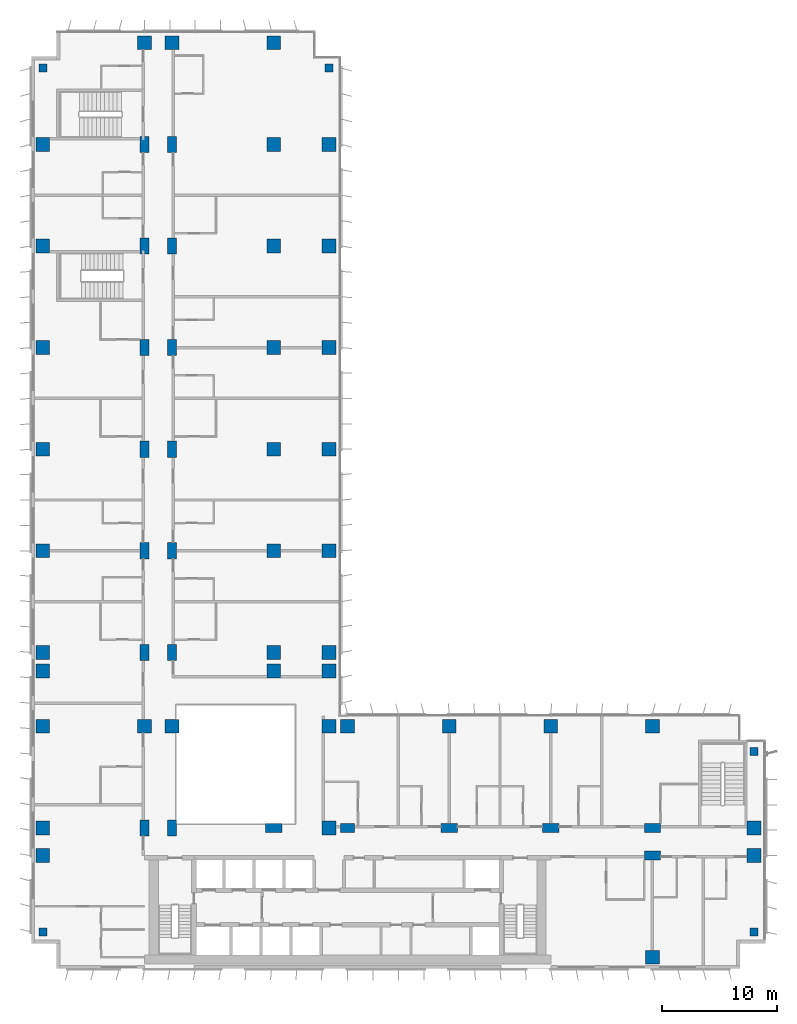
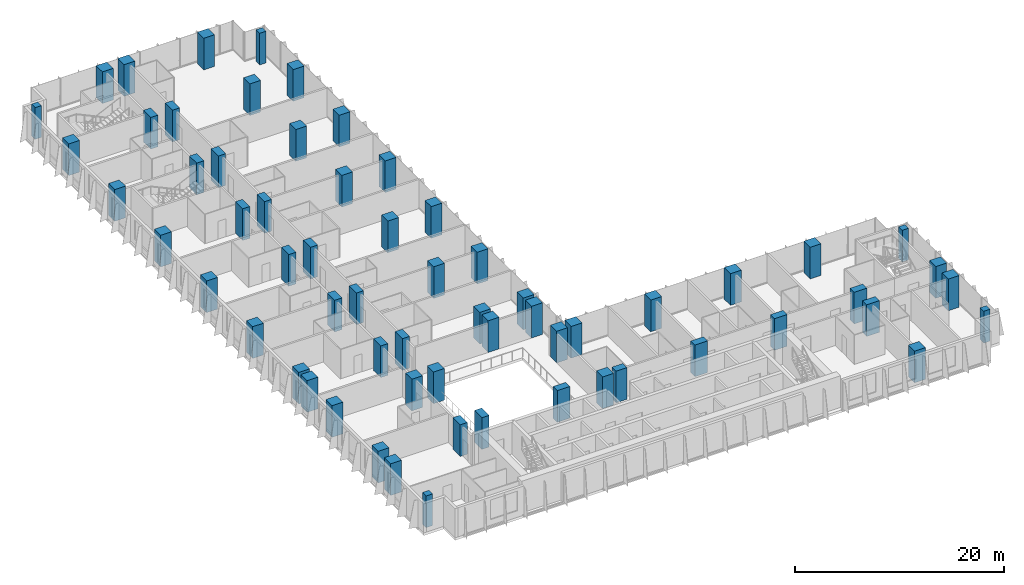
# One storey, part 1 of 23: 63 columns.
"""IFC4 building model written with IfcOpenShell, lengths in metres."""

from ifc_helpers import new_model, si_unit, direction, frame, origin, origin_2d, place, context, subcontext, project, spatial, rectangle, extrude, material, material_profile, profile_set, type_object, element, save


model = new_model("IFC4")

# Units and contexts
model_context = context("Model", 3, precision=1e-05, world=origin(), true_north=direction((0.0, 1.0)))
body_context = subcontext(model_context, "Body", "Model", "MODEL_VIEW")
ifc_project = project(units=[si_unit("LENGTHUNIT", "METRE"), si_unit("AREAUNIT", "SQUARE_METRE"), si_unit("VOLUMEUNIT", "CUBIC_METRE"), si_unit("PLANEANGLEUNIT", "RADIAN"), si_unit("MASSUNIT", "GRAM", prefix="KILO")], contexts=[model_context])

# Site, building, storey
site_placement = place(None, origin())
site = spatial("IfcSite", under=ifc_project, at=site_placement, CompositionType="ELEMENT")
building_placement = place(site_placement, origin())
building = spatial("IfcBuilding", under=site, at=building_placement, Name="Kemantara Hotel Tower", CompositionType="ELEMENT")
storey_placement = place(building_placement, frame((0.0, 0.0, 138.300048828125)))
storey = spatial("IfcBuildingStorey", under=building, at=storey_placement, Name="L33", CompositionType="ELEMENT", Elevation=138.300048828125)

# Columns
ifc_material = material(Name="Concrete fc 60 MPa", Category="concrete")
ifc_material_profile_1 = material_profile(ifc_material, rectangle(XDim=1.199951171875, YDim=1.199951171875, at=origin_2d()), Name="RC 1200X1200")
ifc_profile_set_1 = profile_set([ifc_material_profile_1], Name="Concrete fc 60 MPa")
column_type_1 = type_object("IfcColumnType", Name="RC COLUMN 1200X1200 FC60", PredefinedType="COLUMN", material=ifc_profile_set_1)
for number, where, z_axis, x_axis, name in (
    (1, (1.0, 9.800048828125, 0.0), (0.0, 0.0, 1.0), (1.0, 0.0, 0.0), "COLUMN 1/B L33"),
    (2, (1.0, 12.199951171875, 0.0), (0.0, 0.0, 1.0), (1.0, 0.0, 0.0), "COLUMN 1/BA L33"),
    (3, (1.0, 21.0, 0.0), (0.0, 0.0, 1.0), (1.0, 0.0, 0.0), "COLUMN 1/C L33"),
    (4, (1.0, 25.800048828125, 0.0), (0.0, 0.0, 1.0), (1.0, 0.0, 0.0), "COLUMN 1/CA L33"),
    (5, (1.0, 27.39990234375, 0.0), (0.0, 0.0, 1.0), (1.0, 0.0, 0.0), "COLUMN 1/D L33"),
    (6, (1.0, 36.199951171875, 0.0), (0.0, 0.0, 1.0), (1.0, 0.0, 0.0), "COLUMN 1/E L33"),
    (7, (1.0, 45.0, 0.0), (0.0, 0.0, 1.0), (1.0, 0.0, 0.0), "COLUMN 1/F L33"),
    (8, (1.0, 53.800048828125, 0.0), (0.0, 0.0, 1.0), (1.0, 0.0, 0.0), "COLUMN 1/G L33"),
    (9, (1.0, 62.60009765625, 0.0), (0.0, 0.0, 1.0), (1.0, 0.0, 0.0), "COLUMN 1/H L33"),
    (10, (1.0, 71.39990234375, 0.0), (0.0, 0.0, 1.0), (1.0, 0.0, 0.0), "COLUMN 1/J L33"),
    (11, (9.800048828125, 21.0, 0.0), (0.0, 0.0, 1.0), (1.0, 0.0, 0.0), "COLUMN 2/C L33"),
    (12, (9.800048828125, 80.199951171875, 0.0), (0.0, 0.0, 1.0), (1.0, 0.0, 0.0), "COLUMN 2/K L33"),
    (13, (12.199951171875, 21.0, 0.0), (0.0, 0.0, 1.0), (1.0, 0.0, 0.0), "COLUMN 2A/C L33"),
    (14, (12.199951171875, 80.199951171875, 0.0), (0.0, 0.0, 1.0), (1.0, 0.0, 0.0), "COLUMN 2A/K L33"),
    (15, (21.0, 25.800048828125, 0.0), (0.0, 0.0, 1.0), (1.0, 0.0, 0.0), "COLUMN 3/CA L33"),
    (16, (21.0, 27.39990234375, 0.0), (0.0, 0.0, 1.0), (1.0, 0.0, 0.0), "COLUMN 3/D L33"),
    (17, (21.0, 36.199951171875, 0.0), (0.0, 0.0, 1.0), (1.0, 0.0, 0.0), "COLUMN 3/E L33"),
    (18, (21.0, 45.0, 0.0), (0.0, 0.0, 1.0), (1.0, 0.0, 0.0), "COLUMN 3/F L33"),
    (19, (21.0, 53.800048828125, 0.0), (0.0, 0.0, 1.0), (1.0, 0.0, 0.0), "COLUMN 3/G L33"),
    (20, (21.0, 62.60009765625, 0.0), (0.0, 0.0, 1.0), (1.0, 0.0, 0.0), "COLUMN 3/H L33"),
    (21, (21.0, 71.39990234375, 0.0), (0.0, 0.0, 1.0), (1.0, 0.0, 0.0), "COLUMN 3/J L33"),
    (22, (21.0, 80.199951171875, 0.0), (0.0, 0.0, 1.0), (1.0, 0.0, 0.0), "COLUMN 3/K L33"),
    (23, (25.800048828125, 12.199951171875, 0.0), (0.0, 0.0, 1.0), (1.0, 0.0, 0.0), "COLUMN 3A/BA L33"),
    (24, (25.800048828125, 21.0, 0.0), (0.0, 0.0, 1.0), (1.0, 0.0, 0.0), "COLUMN 3A/C L33"),
    (25, (25.800048828125, 25.800048828125, 0.0), (0.0, 0.0, 1.0), (1.0, 0.0, 0.0), "COLUMN 3A/CA L33"),
    (26, (25.800048828125, 27.39990234375, 0.0), (0.0, 0.0, 1.0), (1.0, 0.0, 0.0), "COLUMN 3A/D L33"),
    (27, (25.800048828125, 36.199951171875, 0.0), (0.0, 0.0, 1.0), (1.0, 0.0, 0.0), "COLUMN 3A/E L33"),
    (28, (25.800048828125, 45.0, 0.0), (0.0, 0.0, 1.0), (1.0, 0.0, 0.0), "COLUMN 3A/F L33"),
    (29, (25.800048828125, 53.800048828125, 0.0), (0.0, 0.0, 1.0), (1.0, 0.0, 0.0), "COLUMN 3A/G L33"),
    (30, (25.800048828125, 62.60009765625, 0.0), (0.0, 0.0, 1.0), (1.0, 0.0, 0.0), "COLUMN 3A/H L33"),
    (31, (25.800048828125, 71.39990234375, 0.0), (0.0, 0.0, 1.0), (1.0, 0.0, 0.0), "COLUMN 3A/J L33"),
    (32, (27.39990234375, 21.0, 0.0), (0.0, 0.0, 1.0), (1.0, 0.0, 0.0), "COLUMN 4/C L33"),
    (33, (36.199951171875, 21.0, 0.0), (0.0, 0.0, 1.0), (1.0, 0.0, 0.0), "COLUMN 5/C L33"),
    (34, (45.0, 21.0, 0.0), (0.0, 0.0, 1.0), (1.0, 0.0, 0.0), "COLUMN 6/C L33"),
    (35, (53.800048828125, 1.0, 0.0), (0.0, 0.0, 1.0), (1.0, 0.0, 0.0), "COLUMN 7/A L33"),
    (36, (53.800048828125, 21.0, 0.0), (0.0, 0.0, 1.0), (1.0, 0.0, 0.0), "COLUMN 7/C L33"),
    (37, (62.60009765625, 9.800048828125, 0.0), (0.0, 0.0, 1.0), (1.0, 0.0, 0.0), "COLUMN 8/B L33"),
    (38, (62.60009765625, 12.199951171875, 0.0), (0.0, 0.0, 1.0), (1.0, 0.0, 0.0), "COLUMN 8/BA L33"),
):
    element("IfcColumn", number, at=place(storey_placement, frame(where, z_axis=z_axis, x_axis=x_axis)), inside=storey, type_object=column_type_1, Name=name, PredefinedType="COLUMN", context=body_context, shape_type="SweptSolid", body=[
        extrude(rectangle(XDim=1.199951171875, YDim=1.199951171875, at=origin_2d()), origin(), (0.0, 0.0, 1.0), 3.699951171875),
    ])
ifc_material_profile_2 = material_profile(ifc_material, rectangle(XDim=1.199951171875, YDim=0.800048828125, at=origin_2d()), Name="RC 1200X800")
ifc_profile_set_2 = profile_set([ifc_material_profile_2], Name="Concrete fc 60 MPa")
column_type_2 = type_object("IfcColumnType", Name="RC COLUMN 1200X800 FC60", PredefinedType="COLUMN", material=ifc_profile_set_2)
column_placement = place(storey_placement, frame((27.39990234375, 12.199951171875, 0.0), z_axis=(0.0, 0.0, 1.0), x_axis=(1.0, 0.0, 0.0)))
element("IfcColumn", 39, at=column_placement, inside=storey, type_object=column_type_2, Name="COLUMN 4/BA L33", PredefinedType="COLUMN", context=body_context, shape_type="SweptSolid", body=[
    extrude(rectangle(XDim=1.199951171875, YDim=0.800048828125, at=origin_2d()), origin(), (0.0, 0.0, 1.0), 3.699951171875),
])
ifc_material_profile_3 = material_profile(ifc_material, rectangle(XDim=1.39990234375, YDim=0.800048828125, at=origin_2d()), Name="RC 1400X800")
ifc_profile_set_3 = profile_set([ifc_material_profile_3], Name="Concrete fc 60 MPa")
column_type_3 = type_object("IfcColumnType", Name="RC COLUMN 1400X800 FC60", PredefinedType="COLUMN", material=ifc_profile_set_3)
for number, where, z_axis, x_axis, name in (
    (40, (9.800048828125, 12.199951171875, 0.0), (0.0, 0.0, 1.0), (0.0, 1.0, 0.0), "COLUMN 2/BA L33"),
    (41, (9.800048828125, 27.39990234375, 0.0), (0.0, 0.0, 1.0), (0.0, 1.0, 0.0), "COLUMN 2/D L33"),
    (42, (9.800048828125, 36.199951171875, 0.0), (0.0, 0.0, 1.0), (0.0, 1.0, 0.0), "COLUMN 2/E L33"),
    (43, (9.800048828125, 45.0, 0.0), (0.0, 0.0, 1.0), (0.0, 1.0, 0.0), "COLUMN 2/F L33"),
    (44, (9.800048828125, 53.800048828125, 0.0), (0.0, 0.0, 1.0), (0.0, 1.0, 0.0), "COLUMN 2/G L33"),
    (45, (9.800048828125, 62.60009765625, 0.0), (0.0, 0.0, 1.0), (0.0, 1.0, 0.0), "COLUMN 2/H L33"),
    (46, (9.800048828125, 71.39990234375, 0.0), (0.0, 0.0, 1.0), (0.0, 1.0, 0.0), "COLUMN 2/J L33"),
    (47, (12.199951171875, 12.199951171875, 0.0), (0.0, 0.0, 1.0), (0.0, 1.0, 0.0), "COLUMN 2A/BA L33"),
    (48, (12.199951171875, 27.39990234375, 0.0), (0.0, 0.0, 1.0), (0.0, 1.0, 0.0), "COLUMN 2A/D L33"),
    (49, (12.199951171875, 36.199951171875, 0.0), (0.0, 0.0, 1.0), (0.0, 1.0, 0.0), "COLUMN 2A/E L33"),
    (50, (12.199951171875, 45.0, 0.0), (0.0, 0.0, 1.0), (0.0, 1.0, 0.0), "COLUMN 2A/F L33"),
    (51, (12.199951171875, 53.800048828125, 0.0), (0.0, 0.0, 1.0), (0.0, 1.0, 0.0), "COLUMN 2A/G L33"),
    (52, (12.199951171875, 62.60009765625, 0.0), (0.0, 0.0, 1.0), (0.0, 1.0, 0.0), "COLUMN 2A/H L33"),
    (53, (12.199951171875, 71.39990234375, 0.0), (0.0, 0.0, 1.0), (0.0, 1.0, 0.0), "COLUMN 2A/J L33"),
    (54, (21.0, 12.199951171875, 0.0), (0.0, 0.0, 1.0), (1.0, 0.0, 0.0), "COLUMN 3/BA L33"),
    (55, (36.199951171875, 12.199951171875, 0.0), (0.0, 0.0, 1.0), (1.0, 0.0, 0.0), "COLUMN 5/BA L33"),
    (56, (45.0, 12.199951171875, 0.0), (0.0, 0.0, 1.0), (1.0, 0.0, 0.0), "COLUMN 6/BA L33"),
    (57, (53.800048828125, 9.800048828125, 0.0), (0.0, 0.0, 1.0), (1.0, 0.0, 0.0), "COLUMN 7/B L33"),
    (58, (53.800048828125, 12.199951171875, 0.0), (0.0, 0.0, 1.0), (1.0, 0.0, 0.0), "COLUMN 7/BA L33"),
):
    element("IfcColumn", number, at=place(storey_placement, frame(where, z_axis=z_axis, x_axis=x_axis)), inside=storey, type_object=column_type_3, Name=name, PredefinedType="COLUMN", context=body_context, shape_type="SweptSolid", body=[
        extrude(rectangle(XDim=1.39990234375, YDim=0.800048828125, at=origin_2d()), origin(), (0.0, 0.0, 1.0), 3.699951171875),
    ])
ifc_material_profile_4 = material_profile(ifc_material, rectangle(XDim=0.699951171875, YDim=0.699951171875, at=origin_2d()), Name="RC 700X700")
ifc_profile_set_4 = profile_set([ifc_material_profile_4], Name="Concrete fc 60 MPa")
column_type_4 = type_object("IfcColumnType", Name="RC COLUMN 700X700 FC60", PredefinedType="COLUMN", material=ifc_profile_set_4)
for number, where, z_axis, x_axis, name in (
    (59, (1.0, 3.199951171875, 0.0), (0.0, 0.0, 1.0), (1.0, 0.0, 0.0), "COLUMN notch corner L33"),
    (60, (1.0, 78.0, 0.0), (0.0, 0.0, 1.0), (1.0, 0.0, 0.0), "COLUMN notch corner L33"),
    (61, (25.800048828125, 78.0, 0.0), (0.0, 0.0, 1.0), (1.0, 0.0, 0.0), "COLUMN notch corner L33"),
    (62, (62.60009765625, 3.199951171875, 0.0), (0.0, 0.0, 1.0), (1.0, 0.0, 0.0), "COLUMN notch corner L33"),
    (63, (62.60009765625, 18.800048828125, 0.0), (0.0, 0.0, 1.0), (1.0, 0.0, 0.0), "COLUMN notch corner L33"),
):
    element("IfcColumn", number, at=place(storey_placement, frame(where, z_axis=z_axis, x_axis=x_axis)), inside=storey, type_object=column_type_4, Name=name, PredefinedType="COLUMN", context=body_context, shape_type="SweptSolid", body=[
        extrude(rectangle(XDim=0.699951171875, YDim=0.699951171875, at=origin_2d()), origin(), (0.0, 0.0, 1.0), 3.699951171875),
    ])

save(model, "model.ifc")
